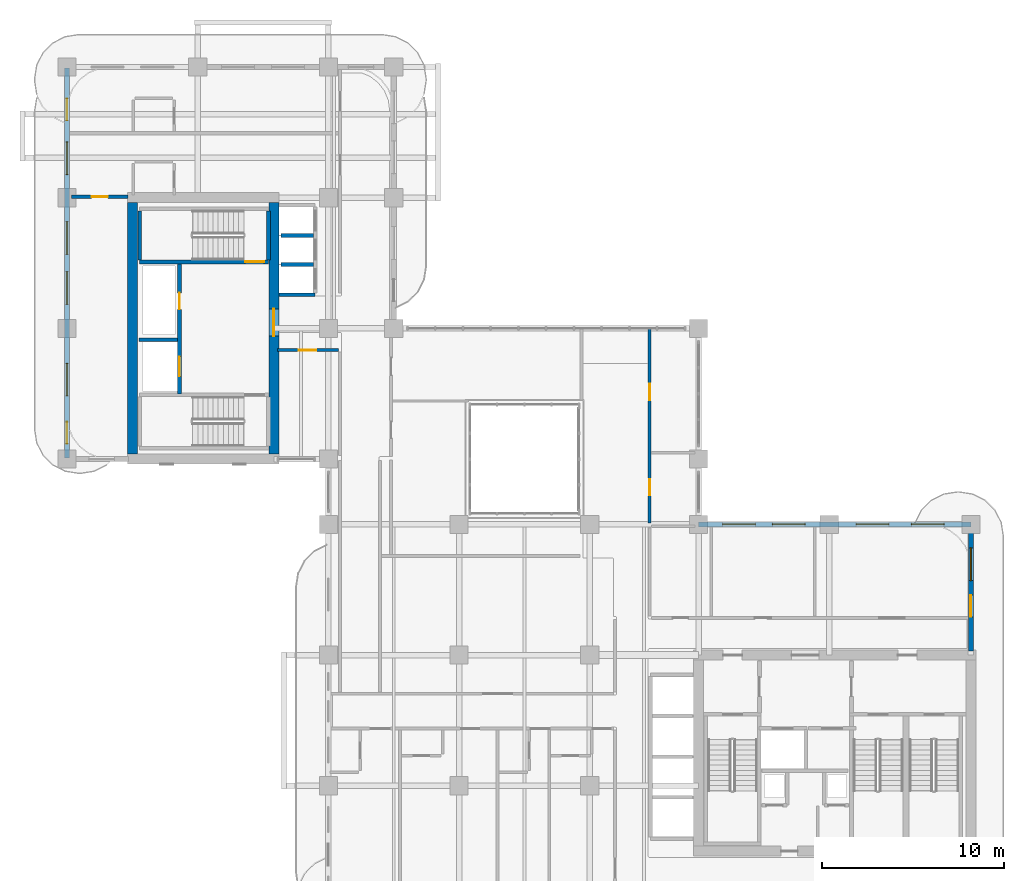
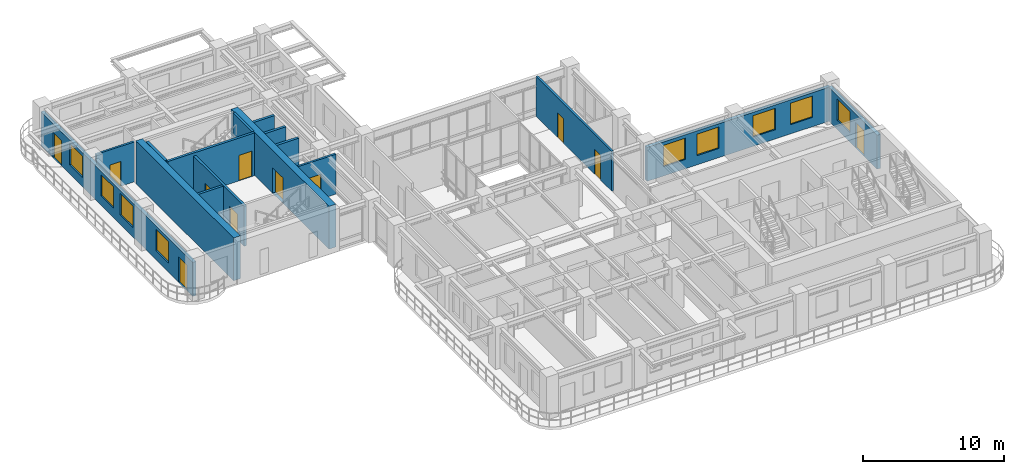
# One storey, part 14 of 20: 16 walls, 11 doors, 9 windows, 20 openings.
"""IFC4 building model written with IfcOpenShell, lengths in metres."""

from ifc_helpers import new_model, si_unit, derived_unit, direction, frame, frame_2d, origin, place, context, subcontext, project, spatial, rectangle, extrude, source, transform, mapped, material, layer, layer_set, type_object, type_shapes, element, fill, save


model = new_model("IFC4")

# Units and contexts
model_context = context("Model", 3, precision=1e-05, world=origin(), true_north=direction((0.0, 1.0)))
body_context = subcontext(model_context, "Body", "Model", "MODEL_VIEW")
ifc_project = project(units=[si_unit("LENGTHUNIT", "METRE"), si_unit("AREAUNIT", "SQUARE_METRE"), si_unit("VOLUMEUNIT", "CUBIC_METRE"), si_unit("PLANEANGLEUNIT", "RADIAN"), si_unit("MASSUNIT", "GRAM", prefix="KILO"), si_unit("THERMODYNAMICTEMPERATUREUNIT", "KELVIN"), si_unit("POWERUNIT", "WATT"), derived_unit("THERMALTRANSMITTANCEUNIT", [(si_unit("POWERUNIT", "WATT"), 1), (si_unit("AREAUNIT", "SQUARE_METRE"), -1), (si_unit("THERMODYNAMICTEMPERATUREUNIT", "KELVIN"), -1)])], contexts=[model_context])

# Site, building, storey
site_placement = place(None, origin())
site = spatial("IfcSite", under=ifc_project, at=site_placement, CompositionType="ELEMENT")
building_placement = place(site_placement, origin())
building = spatial("IfcBuilding", under=site, at=building_placement, Name="Zahravan Archway Hotel and Residences", CompositionType="ELEMENT")
storey_placement = place(building_placement, frame((0.0, 0.0, 119.199951171875)))
storey = spatial("IfcBuildingStorey", under=building, at=storey_placement, Name="L29", CompositionType="ELEMENT", Elevation=119.199951171875)

# Wall
ifc_material_1 = material(Name="Concrete C70/85", Category="concrete")
ifc_layer_1 = layer(ifc_material_1, 0.550048828125, Name="Concrete C70/85", Category="concrete")
ifc_layer_set_1 = layer_set([ifc_layer_1], Name="Concrete C70/85")
wall_type_1 = type_object("IfcWallType", Name="CW-CORE-550", PredefinedType="SHEAR", material=ifc_layer_set_1)
wall_1_placement = place(storey_placement, frame((3.60009765625, 25.47509765625, 0.0), z_axis=(0.0, 0.0, 1.0), x_axis=(0.0, 1.0, 0.0)))
element("IfcWall", 1, at=wall_1_placement, inside=storey, type_object=wall_type_1, Name="L29 Core B Shear W Wall 550 mm", PredefinedType="SHEAR", context=body_context, shape_type="SweptSolid", body=[
    extrude(rectangle(XDim=13.849853515625, YDim=0.550048828125, at=frame_2d((6.9248046875, 0.0))), origin(), (0.0, 0.0, 1.0), 3.699951171875),
])

# Wall, opening, door
wall_2_placement = place(storey_placement, frame((11.39990234375, 25.47509765625, 0.0), z_axis=(0.0, 0.0, 1.0), x_axis=(0.0, 1.0, 0.0)))
wall_2 = element("IfcWall", 2, at=wall_2_placement, inside=storey, type_object=wall_type_1, Name="L29 Core B Shear E Wall 550 mm", PredefinedType="SHEAR", context=body_context, shape_type="SweptSolid", body=[
    extrude(rectangle(XDim=13.849853515625, YDim=0.550048828125, at=frame_2d((6.9248046875, 0.0))), origin(), (0.0, 0.0, 1.0), 3.699951171875),
])
opening_1_placement = place(wall_2_placement, frame((6.4951171875, 0.0, 0.0)))
opening_1 = element("IfcOpeningElement", 3, at=opening_1_placement, cuts=wall_2, Name="Opening FD-L1", PredefinedType="OPENING", context=body_context, shape_type="SweptSolid", body=[
    extrude(rectangle(XDim=1.5, YDim=2.199951171875, at=frame_2d((0.75, 1.10009765625))), frame((0.0, 0.28515625, 0.0), z_axis=(0.0, -1.0, 0.0), x_axis=(1.0, 0.0, 0.0)), (0.0, 0.0, 1.0), 0.570068359375),
])
ifc_material_2 = material(Name="Fire-Rated Painted Steel", Category="steel")
door_type_1 = type_object("IfcDoorType", Name="FD-LOBBY-1500", OperationType="DOUBLE_DOOR_SINGLE_SWING", PredefinedType="DOOR", material=ifc_material_2)
shared_shape_1 = source(origin(), body_context, "Body", "SweptSolid", [
    extrude(rectangle(XDim=1.5, YDim=2.199951171875, at=frame_2d((0.75, 1.10009765625))), frame((0.0, 0.02490234375, 0.0), z_axis=(0.0, -1.0, 0.0), x_axis=(1.0, 0.0, 0.0)), (0.0, 0.0, 1.0), 0.050048828125),
])
type_shapes(door_type_1, [shared_shape_1])
door_1_placement = place(opening_1_placement, origin())
door_1 = element("IfcDoor", 4, at=door_1_placement, inside=storey, type_object=door_type_1, Name="L29 Core B FSAE Lobby Door", OperationType="DOUBLE_DOOR_SINGLE_SWING", OverallHeight=2.199951171875, OverallWidth=1.5, PredefinedType="DOOR", context=body_context, shape_type="MappedRepresentation", body=[
    mapped(shared_shape_1, transform((0.0, 0.0, 0.0), scale=1.0)),
])
fill(opening_1, door_1)

# Wall, openings, door, window
ifc_material_3 = material(Name="Honed Red-Ochre Sandstone & Insulated Block", Category="masonry")
ifc_layer_2 = layer(ifc_material_3, 0.280029296875, Name="Honed Red-Ochre Sandstone & Insulated Block", Category="masonry")
ifc_layer_set_2 = layer_set([ifc_layer_2], Name="Honed Red-Ochre Sandstone & Insulated Block")
wall_type_2 = type_object("IfcWallType", Name="EW-LOG-280", PredefinedType="SOLIDWALL", material=ifc_layer_set_2)
wall_3_placement = place(storey_placement, frame((49.800048828125, 14.6201171875, 0.0), z_axis=(0.0, 0.0, 1.0), x_axis=(0.0, 1.0, 0.0)))
wall_3 = element("IfcWall", 5, at=wall_3_placement, inside=storey, type_object=wall_type_2, Name="L29 Exterior Sandstone Wall WA-EN", PredefinedType="SOLIDWALL", context=body_context, shape_type="SweptSolid", body=[
    extrude(rectangle(XDim=6.929931640625, YDim=0.280029296875, at=frame_2d((3.46484375, 0.0))), origin(), (0.0, 0.0, 1.0), 2.93505859375),
])
opening_2_placement = place(wall_3_placement, frame((1.888916015625, 0.0, 0.0)))
opening_2 = element("IfcOpeningElement", 6, at=opening_2_placement, cuts=wall_3, Name="Opening ED-BL1", PredefinedType="OPENING", context=body_context, shape_type="SweptSolid", body=[
    extrude(rectangle(XDim=1.199951171875, YDim=2.199951171875, at=frame_2d((0.60009765625, 1.10009765625))), frame((0.0, 0.14990234375, 0.0), z_axis=(0.0, -1.0, 0.0), x_axis=(1.0, 0.0, 0.0)), (0.0, 0.0, 1.0), 0.300048828125),
])
opening_3_placement = place(wall_3_placement, frame((3.884033203125, 0.0, 0.800048828125)))
opening_3 = element("IfcOpeningElement", 7, at=opening_3_placement, cuts=wall_3, Name="Opening W-02", PredefinedType="OPENING", context=body_context, shape_type="SweptSolid", body=[
    extrude(rectangle(XDim=1.800048828125, YDim=1.85009765625, at=frame_2d((0.89990234375, 0.925048828125))), frame((0.0, 0.14990234375, 0.0), z_axis=(0.0, -1.0, 0.0), x_axis=(1.0, 0.0, 0.0)), (0.0, 0.0, 1.0), 0.300048828125),
])
ifc_material_4 = material(Name="Bronze-Anodized Glazed Aluminium", Category="aluminium")
door_type_2 = type_object("IfcDoorType", Name="ED-BALC-1200", OperationType="SLIDING_TO_LEFT", PredefinedType="DOOR", material=ifc_material_4)
shared_shape_2 = source(origin(), body_context, "Body", "SweptSolid", [
    extrude(rectangle(XDim=1.199951171875, YDim=2.199951171875, at=frame_2d((0.60009765625, 1.10009765625))), frame((0.0, 0.02490234375, 0.0), z_axis=(0.0, -1.0, 0.0), x_axis=(1.0, 0.0, 0.0)), (0.0, 0.0, 1.0), 0.050048828125),
])
type_shapes(door_type_2, [shared_shape_2])
door_2_placement = place(opening_2_placement, origin())
door_2 = element("IfcDoor", 8, at=door_2_placement, inside=storey, type_object=door_type_2, Name="L29 Outdoor Access Sliding Door (SLB-BAL-L29-EA)", OperationType="SLIDING_TO_LEFT", OverallHeight=2.199951171875, OverallWidth=1.199951171875, PredefinedType="DOOR", context=body_context, shape_type="MappedRepresentation", body=[
    mapped(shared_shape_2, transform((0.0, 0.0, 0.0), scale=1.0)),
])
fill(opening_2, door_2)
ifc_material_5 = material(Name="Bronze-Anodized Thermal-Break Aluminium & Low-E Glass", Category="aluminium")
window_type = type_object("IfcWindowType", Name="WIN-TWR-1800", PartitioningType="DOUBLE_PANEL_VERTICAL", PredefinedType="WINDOW", material=ifc_material_5)
shared_shape_3 = source(origin(), body_context, "Body", "SweptSolid", [
    extrude(rectangle(XDim=1.800048828125, YDim=1.85009765625, at=frame_2d((0.89990234375, 0.925048828125))), frame((0.0, 0.030029296875, 0.0), z_axis=(0.0, -1.0, 0.0), x_axis=(1.0, 0.0, 0.0)), (0.0, 0.0, 1.0), 0.06005859375),
])
type_shapes(window_type, [shared_shape_3])
window_1_placement = place(opening_3_placement, origin())
window_1 = element("IfcWindow", 9, at=window_1_placement, inside=storey, type_object=window_type, Name="L29 Loggia Window 11", OverallHeight=1.85009765625, OverallWidth=1.800048828125, PartitioningType="DOUBLE_PANEL_VERTICAL", PredefinedType="WINDOW", context=body_context, shape_type="MappedRepresentation", body=[
    mapped(shared_shape_3, transform((0.0, 0.0, 0.0), scale=1.0)),
])
fill(opening_3, window_1)

# Wall, openings, windows
wall_4_placement = place(storey_placement, frame((34.800048828125, 21.60009765625, 0.0), z_axis=(0.0, 0.0, 1.0), x_axis=(1.0, 0.0, 0.0)))
wall_4 = element("IfcWall", 10, at=wall_4_placement, inside=storey, type_object=wall_type_2, Name="L29 Exterior Sandstone Wall WA-NE", PredefinedType="SOLIDWALL", context=body_context, shape_type="SweptSolid", body=[
    extrude(rectangle(XDim=15.0, YDim=0.280029296875, at=frame_2d((7.5, 0.0))), origin(), (0.0, 0.0, 1.0), 2.93505859375),
])
opening_4_placement = place(wall_4_placement, frame((1.322998046875, 0.0, 0.800048828125)))
opening_4 = element("IfcOpeningElement", 11, at=opening_4_placement, cuts=wall_4, Name="Opening W-02", PredefinedType="OPENING", context=body_context, shape_type="SweptSolid", body=[
    extrude(rectangle(XDim=1.800048828125, YDim=1.85009765625, at=frame_2d((0.89990234375, 0.925048828125))), frame((0.0, 0.14990234375, 0.0), z_axis=(0.0, -1.0, 0.0), x_axis=(1.0, 0.0, 0.0)), (0.0, 0.0, 1.0), 0.300048828125),
])
opening_5_placement = place(wall_4_placement, frame((4.069091796875, 0.0, 0.800048828125)))
opening_5 = element("IfcOpeningElement", 12, at=opening_5_placement, cuts=wall_4, Name="Opening W-02", PredefinedType="OPENING", context=body_context, shape_type="SweptSolid", body=[
    extrude(rectangle(XDim=1.800048828125, YDim=1.85009765625, at=frame_2d((0.89990234375, 0.925048828125))), frame((0.0, 0.14990234375, 0.0), z_axis=(0.0, -1.0, 0.0), x_axis=(1.0, 0.0, 0.0)), (0.0, 0.0, 1.0), 0.300048828125),
])
opening_6_placement = place(wall_4_placement, frame((8.675048828125, 0.0, 0.800048828125)))
opening_6 = element("IfcOpeningElement", 13, at=opening_6_placement, cuts=wall_4, Name="Opening W-02", PredefinedType="OPENING", context=body_context, shape_type="SweptSolid", body=[
    extrude(rectangle(XDim=1.800048828125, YDim=1.85009765625, at=frame_2d((0.89990234375, 0.925048828125))), frame((0.0, 0.14990234375, 0.0), z_axis=(0.0, -1.0, 0.0), x_axis=(1.0, 0.0, 0.0)), (0.0, 0.0, 1.0), 0.300048828125),
])
opening_7_placement = place(wall_4_placement, frame((11.72509765625, 0.0, 0.800048828125)))
opening_7 = element("IfcOpeningElement", 14, at=opening_7_placement, cuts=wall_4, Name="Opening W-02", PredefinedType="OPENING", context=body_context, shape_type="SweptSolid", body=[
    extrude(rectangle(XDim=1.800048828125, YDim=1.85009765625, at=frame_2d((0.89990234375, 0.925048828125))), frame((0.0, 0.14990234375, 0.0), z_axis=(0.0, -1.0, 0.0), x_axis=(1.0, 0.0, 0.0)), (0.0, 0.0, 1.0), 0.300048828125),
])
window_2_placement = place(opening_4_placement, origin())
window_2 = element("IfcWindow", 15, at=window_2_placement, inside=storey, type_object=window_type, Name="L29 Loggia Window 12", OverallHeight=1.85009765625, OverallWidth=1.800048828125, PartitioningType="DOUBLE_PANEL_VERTICAL", PredefinedType="WINDOW", context=body_context, shape_type="MappedRepresentation", body=[
    mapped(shared_shape_3, transform((0.0, 0.0, 0.0), scale=1.0)),
])
fill(opening_4, window_2)
window_3_placement = place(opening_5_placement, origin())
window_3 = element("IfcWindow", 16, at=window_3_placement, inside=storey, type_object=window_type, Name="L29 Loggia Window 13", OverallHeight=1.85009765625, OverallWidth=1.800048828125, PartitioningType="DOUBLE_PANEL_VERTICAL", PredefinedType="WINDOW", context=body_context, shape_type="MappedRepresentation", body=[
    mapped(shared_shape_3, transform((0.0, 0.0, 0.0), scale=1.0)),
])
fill(opening_5, window_3)
window_4_placement = place(opening_6_placement, origin())
window_4 = element("IfcWindow", 17, at=window_4_placement, inside=storey, type_object=window_type, Name="L29 Loggia Window 14", OverallHeight=1.85009765625, OverallWidth=1.800048828125, PartitioningType="DOUBLE_PANEL_VERTICAL", PredefinedType="WINDOW", context=body_context, shape_type="MappedRepresentation", body=[
    mapped(shared_shape_3, transform((0.0, 0.0, 0.0), scale=1.0)),
])
fill(opening_6, window_4)
window_5_placement = place(opening_7_placement, origin())
window_5 = element("IfcWindow", 18, at=window_5_placement, inside=storey, type_object=window_type, Name="L29 Loggia Window 15", OverallHeight=1.85009765625, OverallWidth=1.800048828125, PartitioningType="DOUBLE_PANEL_VERTICAL", PredefinedType="WINDOW", context=body_context, shape_type="MappedRepresentation", body=[
    mapped(shared_shape_3, transform((0.0, 0.0, 0.0), scale=1.0)),
])
fill(opening_7, window_5)

# Wall, openings, doors, windows
wall_5_placement = place(storey_placement, frame((0.0, 25.25, 0.0), z_axis=(0.0, 0.0, 1.0), x_axis=(0.0, 1.0, 0.0)))
wall_5 = element("IfcWall", 19, at=wall_5_placement, inside=storey, type_object=wall_type_2, Name="L29 Exterior Sandstone Wall WB-W", PredefinedType="SOLIDWALL", context=body_context, shape_type="SweptSolid", body=[
    extrude(rectangle(XDim=21.5, YDim=0.280029296875, at=frame_2d((10.75, 0.0))), origin(), (0.0, 0.0, 1.0), 2.93505859375),
])
opening_8_placement = place(wall_5_placement, frame((18.60693359375, 0.0, 0.0)))
opening_8 = element("IfcOpeningElement", 20, at=opening_8_placement, cuts=wall_5, Name="Opening ED-BL1", PredefinedType="OPENING", context=body_context, shape_type="SweptSolid", body=[
    extrude(rectangle(XDim=1.199951171875, YDim=2.199951171875, at=frame_2d((0.60009765625, 1.10009765625))), frame((0.0, 0.14990234375, 0.0), z_axis=(0.0, -1.0, 0.0), x_axis=(1.0, 0.0, 0.0)), (0.0, 0.0, 1.0), 0.300048828125),
])
opening_9_placement = place(wall_5_placement, frame((0.800048828125, 0.0, 0.0)))
opening_9 = element("IfcOpeningElement", 21, at=opening_9_placement, cuts=wall_5, Name="Opening ED-BL1", PredefinedType="OPENING", context=body_context, shape_type="SweptSolid", body=[
    extrude(rectangle(XDim=1.199951171875, YDim=2.199951171875, at=frame_2d((0.60009765625, 1.10009765625))), frame((0.0, 0.14990234375, 0.0), z_axis=(0.0, -1.0, 0.0), x_axis=(1.0, 0.0, 0.0)), (0.0, 0.0, 1.0), 0.300048828125),
])
opening_10_placement = place(wall_5_placement, frame((3.425048828125, 0.0, 0.800048828125)))
opening_10 = element("IfcOpeningElement", 22, at=opening_10_placement, cuts=wall_5, Name="Opening W-02", PredefinedType="OPENING", context=body_context, shape_type="SweptSolid", body=[
    extrude(rectangle(XDim=1.800048828125, YDim=1.85009765625, at=frame_2d((0.89990234375, 0.925048828125))), frame((0.0, 0.14990234375, 0.0), z_axis=(0.0, -1.0, 0.0), x_axis=(1.0, 0.0, 0.0)), (0.0, 0.0, 1.0), 0.300048828125),
])
opening_11_placement = place(wall_5_placement, frame((8.47509765625, 0.0, 0.800048828125)))
opening_11 = element("IfcOpeningElement", 23, at=opening_11_placement, cuts=wall_5, Name="Opening W-02", PredefinedType="OPENING", context=body_context, shape_type="SweptSolid", body=[
    extrude(rectangle(XDim=1.800048828125, YDim=1.85009765625, at=frame_2d((0.89990234375, 0.925048828125))), frame((0.0, 0.14990234375, 0.0), z_axis=(0.0, -1.0, 0.0), x_axis=(1.0, 0.0, 0.0)), (0.0, 0.0, 1.0), 0.300048828125),
])
opening_12_placement = place(wall_5_placement, frame((11.22509765625, 0.0, 0.800048828125)))
opening_12 = element("IfcOpeningElement", 24, at=opening_12_placement, cuts=wall_5, Name="Opening W-02", PredefinedType="OPENING", context=body_context, shape_type="SweptSolid", body=[
    extrude(rectangle(XDim=1.800048828125, YDim=1.85009765625, at=frame_2d((0.89990234375, 0.925048828125))), frame((0.0, 0.14990234375, 0.0), z_axis=(0.0, -1.0, 0.0), x_axis=(1.0, 0.0, 0.0)), (0.0, 0.0, 1.0), 0.300048828125),
])
opening_13_placement = place(wall_5_placement, frame((15.62109375, 0.0, 0.800048828125)))
opening_13 = element("IfcOpeningElement", 25, at=opening_13_placement, cuts=wall_5, Name="Opening W-02", PredefinedType="OPENING", context=body_context, shape_type="SweptSolid", body=[
    extrude(rectangle(XDim=1.800048828125, YDim=1.85009765625, at=frame_2d((0.89990234375, 0.925048828125))), frame((0.0, 0.14990234375, 0.0), z_axis=(0.0, -1.0, 0.0), x_axis=(1.0, 0.0, 0.0)), (0.0, 0.0, 1.0), 0.300048828125),
])
door_3_placement = place(opening_8_placement, origin())
door_3 = element("IfcDoor", 26, at=door_3_placement, inside=storey, type_object=door_type_2, Name="L29 Outdoor Access Sliding Door (SLB-BAL-L29-NB)", OperationType="SLIDING_TO_LEFT", OverallHeight=2.199951171875, OverallWidth=1.199951171875, PredefinedType="DOOR", context=body_context, shape_type="MappedRepresentation", body=[
    mapped(shared_shape_2, transform((0.0, 0.0, 0.0), scale=1.0)),
])
fill(opening_8, door_3)
door_4_placement = place(opening_9_placement, origin())
door_4 = element("IfcDoor", 27, at=door_4_placement, inside=storey, type_object=door_type_2, Name="L29 Outdoor Access Sliding Door (SLB-BAL-L29-WB)", OperationType="SLIDING_TO_LEFT", OverallHeight=2.199951171875, OverallWidth=1.199951171875, PredefinedType="DOOR", context=body_context, shape_type="MappedRepresentation", body=[
    mapped(shared_shape_2, transform((0.0, 0.0, 0.0), scale=1.0)),
])
fill(opening_9, door_4)
window_6_placement = place(opening_10_placement, origin())
window_6 = element("IfcWindow", 28, at=window_6_placement, inside=storey, type_object=window_type, Name="L29 Loggia Window 23", OverallHeight=1.85009765625, OverallWidth=1.800048828125, PartitioningType="DOUBLE_PANEL_VERTICAL", PredefinedType="WINDOW", context=body_context, shape_type="MappedRepresentation", body=[
    mapped(shared_shape_3, transform((0.0, 0.0, 0.0), scale=1.0)),
])
fill(opening_10, window_6)
window_7_placement = place(opening_11_placement, origin())
window_7 = element("IfcWindow", 29, at=window_7_placement, inside=storey, type_object=window_type, Name="L29 Loggia Window 24", OverallHeight=1.85009765625, OverallWidth=1.800048828125, PartitioningType="DOUBLE_PANEL_VERTICAL", PredefinedType="WINDOW", context=body_context, shape_type="MappedRepresentation", body=[
    mapped(shared_shape_3, transform((0.0, 0.0, 0.0), scale=1.0)),
])
fill(opening_11, window_7)
window_8_placement = place(opening_12_placement, origin())
window_8 = element("IfcWindow", 30, at=window_8_placement, inside=storey, type_object=window_type, Name="L29 Loggia Window 25", OverallHeight=1.85009765625, OverallWidth=1.800048828125, PartitioningType="DOUBLE_PANEL_VERTICAL", PredefinedType="WINDOW", context=body_context, shape_type="MappedRepresentation", body=[
    mapped(shared_shape_3, transform((0.0, 0.0, 0.0), scale=1.0)),
])
fill(opening_12, window_8)
window_9_placement = place(opening_13_placement, origin())
window_9 = element("IfcWindow", 31, at=window_9_placement, inside=storey, type_object=window_type, Name="L29 Loggia Window 26", OverallHeight=1.85009765625, OverallWidth=1.800048828125, PartitioningType="DOUBLE_PANEL_VERTICAL", PredefinedType="WINDOW", context=body_context, shape_type="MappedRepresentation", body=[
    mapped(shared_shape_3, transform((0.0, 0.0, 0.0), scale=1.0)),
])
fill(opening_13, window_9)

# Wall, openings, doors
ifc_material_6 = material(Name="Fire-Rated Gypsum & Concrete Block", Category="concrete")
ifc_layer_3 = layer(ifc_material_6, 0.199951171875, Name="Fire-Rated Gypsum & Concrete Block", Category="concrete")
ifc_layer_set_3 = layer_set([ifc_layer_3], Name="Fire-Rated Gypsum & Concrete Block")
wall_type_3 = type_object("IfcWallType", Name="PW-SHAFT-200", PredefinedType="PARTITIONING", material=ifc_layer_set_3)
wall_6_placement = place(storey_placement, frame((6.199951171875, 28.7900390625, 0.0), z_axis=(0.0, 0.0, 1.0), x_axis=(0.0, 1.0, 0.0)))
wall_6 = element("IfcWall", 32, at=wall_6_placement, inside=storey, type_object=wall_type_3, Name="L29 Partition CB-FL3E", PredefinedType="PARTITIONING", context=body_context, shape_type="SweptSolid", body=[
    extrude(rectangle(XDim=7.219970703125, YDim=0.199951171875, at=frame_2d((3.60986328125, 0.0))), origin(), (0.0, 0.0, 1.0), 3.449951171875),
])
opening_14_placement = place(wall_6_placement, frame((4.659912109375, 0.0, 0.0)))
opening_14 = element("IfcOpeningElement", 33, at=opening_14_placement, cuts=wall_6, Name="Opening FD-R1", PredefinedType="OPENING", context=body_context, shape_type="SweptSolid", body=[
    extrude(rectangle(XDim=0.89990234375, YDim=2.10009765625, at=frame_2d((0.449951171875, 1.050048828125))), frame((0.0, 0.10986328125, 0.0), z_axis=(0.0, -1.0, 0.0), x_axis=(1.0, 0.0, 0.0)), (0.0, 0.0, 1.0), 0.219970703125),
])
opening_15_placement = place(wall_6_placement, frame((0.9599609375, 0.0, 0.0)))
opening_15 = element("IfcOpeningElement", 34, at=opening_15_placement, cuts=wall_6, Name="Opening LD", PredefinedType="OPENING", context=body_context, shape_type="SweptSolid", body=[
    extrude(rectangle(XDim=1.10009765625, YDim=2.199951171875, at=frame_2d((0.550048828125, 1.10009765625))), frame((0.0, 0.10986328125, 0.0), z_axis=(0.0, -1.0, 0.0), x_axis=(1.0, 0.0, 0.0)), (0.0, 0.0, 1.0), 0.219970703125),
])
door_type_3 = type_object("IfcDoorType", Name="FD-RISER-900", OperationType="NOTDEFINED", PredefinedType="DOOR", material=ifc_material_2)
shared_shape_4 = source(origin(), body_context, "Body", "SweptSolid", [
    extrude(rectangle(XDim=0.89990234375, YDim=2.10009765625, at=frame_2d((0.449951171875, 1.050048828125))), frame((0.0, 0.02490234375, 0.0), z_axis=(0.0, -1.0, 0.0), x_axis=(1.0, 0.0, 0.0)), (0.0, 0.0, 1.0), 0.050048828125),
])
type_shapes(door_type_3, [shared_shape_4])
door_5_placement = place(opening_14_placement, origin())
door_5 = element("IfcDoor", 35, at=door_5_placement, inside=storey, type_object=door_type_3, Name="L29 Core B Riser Door", OperationType="SINGLE_SWING_RIGHT", OverallHeight=2.10009765625, OverallWidth=0.89990234375, PredefinedType="DOOR", context=body_context, shape_type="MappedRepresentation", body=[
    mapped(shared_shape_4, transform((0.0, 0.0, 0.0), scale=1.0)),
])
fill(opening_14, door_5)
ifc_material_7 = material(Name="Brushed Stainless Steel", Category="steel")
door_type_4 = type_object("IfcDoorType", Name="DR-LIFT-LD", OperationType="SLIDING_TO_LEFT", PredefinedType="DOOR", material=ifc_material_7)
shared_shape_5 = source(origin(), body_context, "Body", "SweptSolid", [
    extrude(rectangle(XDim=1.10009765625, YDim=2.199951171875, at=frame_2d((0.550048828125, 1.10009765625))), frame((0.0, 0.02490234375, 0.0), z_axis=(0.0, -1.0, 0.0), x_axis=(1.0, 0.0, 0.0)), (0.0, 0.0, 1.0), 0.050048828125),
])
type_shapes(door_type_4, [shared_shape_5])
door_6_placement = place(opening_15_placement, origin())
door_6 = element("IfcDoor", 36, at=door_6_placement, inside=storey, type_object=door_type_4, Name="L29 Lift FL-3 Sliding Landing Door", OperationType="SLIDING_TO_LEFT", OverallHeight=2.199951171875, OverallWidth=1.10009765625, PredefinedType="DOOR", context=body_context, shape_type="MappedRepresentation", body=[
    mapped(shared_shape_5, transform((0.0, 0.0, 0.0), scale=1.0)),
])
fill(opening_15, door_6)

# Walls
wall_7_placement = place(storey_placement, frame((3.9599609375, 31.780029296875, 0.0), z_axis=(0.0, 0.0, 1.0), x_axis=(1.0, 0.0, 0.0)))
element("IfcWall", 37, at=wall_7_placement, inside=storey, type_object=wall_type_3, Name="L29 Partition CB-FL3N", PredefinedType="PARTITIONING", context=body_context, shape_type="SweptSolid", body=[
    extrude(rectangle(XDim=2.130126953125, YDim=0.199951171875, at=frame_2d((1.06494140625, 0.0))), origin(), (0.0, 0.0, 1.0), 3.449951171875),
])
wall_8_placement = place(storey_placement, frame((11.68505859375, 34.25, 0.0), z_axis=(0.0, 0.0, 1.0), x_axis=(1.0, 0.0, 0.0)))
element("IfcWall", 38, at=wall_8_placement, inside=storey, type_object=wall_type_3, Name="L29 Partition B2-S", PredefinedType="PARTITIONING", context=body_context, shape_type="SweptSolid", body=[
    extrude(rectangle(XDim=1.98486328125, YDim=0.199951171875, at=frame_2d((0.992431640625, 0.0))), origin(), (0.0, 0.0, 1.0), 3.449951171875),
])
for number, where, z_axis, x_axis, name in (
    (39, (11.784912109375, 35.919921875, 0.0), (0.0, 0.0, 1.0), (1.0, 0.0, 0.0), "L29 Partition B2-D"),
    (40, (11.784912109375, 37.52001953125, 0.0), (0.0, 0.0, 1.0), (1.0, 0.0, 0.0), "L29 Partition B2-D"),
):
    element("IfcWall", number, at=place(storey_placement, frame(where, z_axis=z_axis, x_axis=x_axis)), inside=storey, type_object=wall_type_3, Name=name, PredefinedType="PARTITIONING", context=body_context, shape_type="SweptSolid", body=[
        extrude(rectangle(XDim=1.78515625, YDim=0.199951171875, at=frame_2d((0.892578125, 0.0))), origin(), (0.0, 0.0, 1.0), 3.449951171875),
    ])

# Wall, opening, door
ifc_material_8 = material(Name="Acoustic Stud Partition")
ifc_layer_4 = layer(ifc_material_8, 0.169921875, Name="Acoustic Stud Partition")
ifc_layer_set_4 = layer_set([ifc_layer_4], Name="Acoustic Stud Partition")
wall_type_4 = type_object("IfcWallType", Name="PW-UNIT-170", PredefinedType="PARTITIONING", material=ifc_layer_set_4)
wall_9_placement = place(storey_placement, frame((0.239990234375, 39.64990234375, 0.0), z_axis=(0.0, 0.0, 1.0), x_axis=(1.0, 0.0, 0.0)))
wall_9 = element("IfcWall", 41, at=wall_9_placement, inside=storey, type_object=wall_type_4, Name="L29 Partition WBW-N", PredefinedType="PARTITIONING", context=body_context, shape_type="SweptSolid", body=[
    extrude(rectangle(XDim=3.1201171875, YDim=0.169921875, at=frame_2d((1.56005859375, 0.0))), origin(), (0.0, 0.0, 1.0), 3.449951171875),
])
opening_16_placement = place(wall_9_placement, frame((1.110107421875, 0.0, 0.0)))
opening_16 = element("IfcOpeningElement", 42, at=opening_16_placement, cuts=wall_9, Name="Opening D-I2", PredefinedType="OPENING", context=body_context, shape_type="SweptSolid", body=[
    extrude(rectangle(XDim=0.89990234375, YDim=2.14990234375, at=frame_2d((0.449951171875, 1.074951171875))), frame((0.0, 0.094970703125, 0.0), z_axis=(0.0, -1.0, 0.0), x_axis=(1.0, 0.0, 0.0)), (0.0, 0.0, 1.0), 0.18994140625),
])
ifc_material_9 = material(Name="Hardwood Veneer Timber", Category="wood")
door_type_5 = type_object("IfcDoorType", Name="ID-INT-900", OperationType="NOTDEFINED", PredefinedType="DOOR", material=ifc_material_9)
shared_shape_6 = source(origin(), body_context, "Body", "SweptSolid", [
    extrude(rectangle(XDim=0.89990234375, YDim=2.14990234375, at=frame_2d((0.449951171875, 1.074951171875))), frame((0.0, 0.02490234375, 0.0), z_axis=(0.0, -1.0, 0.0), x_axis=(1.0, 0.0, 0.0)), (0.0, 0.0, 1.0), 0.050048828125),
])
type_shapes(door_type_5, [shared_shape_6])
door_7_placement = place(opening_16_placement, origin())
door_7 = element("IfcDoor", 43, at=door_7_placement, inside=storey, type_object=door_type_5, Name="L29 West Loggia Salon Door", OperationType="SINGLE_SWING_RIGHT", OverallHeight=2.14990234375, OverallWidth=0.89990234375, PredefinedType="DOOR", context=body_context, shape_type="MappedRepresentation", body=[
    mapped(shared_shape_6, transform((0.0, 0.0, 0.0), scale=1.0)),
])
fill(opening_16, door_7)

wall_10_placement = place(storey_placement, frame((11.590087890625, 31.199951171875, 0.0), z_axis=(0.0, 0.0, 1.0), x_axis=(1.0, 0.0, 0.0)))
wall_10 = element("IfcWall", 44, at=wall_10_placement, inside=storey, type_object=wall_type_4, Name="L29 Partition FB1-N", PredefinedType="PARTITIONING", context=body_context, shape_type="SweptSolid", body=[
    extrude(rectangle(XDim=3.369873046875, YDim=0.169921875, at=frame_2d((1.68505859375, 0.0))), origin(), (0.0, 0.0, 1.0), 3.449951171875),
])
opening_17_placement = place(wall_10_placement, frame((1.18505859375, 0.0, 0.0)))
opening_17 = element("IfcOpeningElement", 45, at=opening_17_placement, cuts=wall_10, Name="Opening D-I1", PredefinedType="OPENING", context=body_context, shape_type="SweptSolid", body=[
    extrude(rectangle(XDim=0.949951171875, YDim=2.14990234375, at=frame_2d((0.47509765625, 1.074951171875))), frame((0.0, 0.094970703125, 0.0), z_axis=(0.0, -1.0, 0.0), x_axis=(1.0, 0.0, 0.0)), (0.0, 0.0, 1.0), 0.18994140625),
])
door_type_6 = type_object("IfcDoorType", Name="ID-INT-950", OperationType="NOTDEFINED", PredefinedType="DOOR", material=ifc_material_9)
shared_shape_7 = source(origin(), body_context, "Body", "SweptSolid", [
    extrude(rectangle(XDim=0.949951171875, YDim=2.14990234375, at=frame_2d((0.47509765625, 1.074951171875))), frame((0.0, 0.02490234375, 0.0), z_axis=(0.0, -1.0, 0.0), x_axis=(1.0, 0.0, 0.0)), (0.0, 0.0, 1.0), 0.050048828125),
])
type_shapes(door_type_6, [shared_shape_7])
door_8_placement = place(opening_17_placement, origin())
door_8 = element("IfcDoor", 46, at=door_8_placement, inside=storey, type_object=door_type_6, Name="L29 Freed Bank 1 Reading Salon Door", OperationType="SINGLE_SWING_LEFT", OverallHeight=2.14990234375, OverallWidth=0.949951171875, PredefinedType="DOOR", context=body_context, shape_type="MappedRepresentation", body=[
    mapped(shared_shape_7, transform((0.0, 0.0, 0.0), scale=1.0)),
])
fill(opening_17, door_8)

# Wall, openings, doors
wall_11_placement = place(storey_placement, frame((32.10009765625, 21.669921875, 0.0), z_axis=(0.0, 0.0, 1.0), x_axis=(0.0, 1.0, 0.0)))
wall_11 = element("IfcWall", 47, at=wall_11_placement, inside=storey, type_object=wall_type_4, Name="L29 Partition ATR-E", PredefinedType="PARTITIONING", context=body_context, shape_type="SweptSolid", body=[
    extrude(rectangle(XDim=10.7021484375, YDim=0.169921875, at=frame_2d((5.35107421875, 0.0))), origin(), (0.0, 0.0, 1.0), 3.449951171875),
])
opening_18_placement = place(wall_11_placement, frame((1.530029296875, 0.0, 0.0)))
opening_18 = element("IfcOpeningElement", 48, at=opening_18_placement, cuts=wall_11, Name="Opening D-I2", PredefinedType="OPENING", context=body_context, shape_type="SweptSolid", body=[
    extrude(rectangle(XDim=0.89990234375, YDim=2.14990234375, at=frame_2d((0.449951171875, 1.074951171875))), frame((0.0, 0.094970703125, 0.0), z_axis=(0.0, -1.0, 0.0), x_axis=(1.0, 0.0, 0.0)), (0.0, 0.0, 1.0), 0.18994140625),
])
opening_19_placement = place(wall_11_placement, frame((6.780029296875, 0.0, 0.0)))
opening_19 = element("IfcOpeningElement", 49, at=opening_19_placement, cuts=wall_11, Name="Opening D-I2", PredefinedType="OPENING", context=body_context, shape_type="SweptSolid", body=[
    extrude(rectangle(XDim=0.89990234375, YDim=2.14990234375, at=frame_2d((0.449951171875, 1.074951171875))), frame((0.0, 0.094970703125, 0.0), z_axis=(0.0, -1.0, 0.0), x_axis=(1.0, 0.0, 0.0)), (0.0, 0.0, 1.0), 0.18994140625),
])
door_9_placement = place(opening_18_placement, origin())
door_9 = element("IfcDoor", 50, at=door_9_placement, inside=storey, type_object=door_type_5, Name="L29 Atrium Office Door", OperationType="SINGLE_SWING_LEFT", OverallHeight=2.14990234375, OverallWidth=0.89990234375, PredefinedType="DOOR", context=body_context, shape_type="MappedRepresentation", body=[
    mapped(shared_shape_6, transform((0.0, 0.0, 0.0), scale=1.0)),
])
fill(opening_18, door_9)
door_10_placement = place(opening_19_placement, origin())
door_10 = element("IfcDoor", 51, at=door_10_placement, inside=storey, type_object=door_type_5, Name="L29 Atrium Boardroom Door", OperationType="SINGLE_SWING_RIGHT", OverallHeight=2.14990234375, OverallWidth=0.89990234375, PredefinedType="DOOR", context=body_context, shape_type="MappedRepresentation", body=[
    mapped(shared_shape_6, transform((0.0, 0.0, 0.0), scale=1.0)),
])
fill(opening_19, door_10)

# Walls
ifc_material_10 = material(Name="Concrete C50/60", Category="concrete")
ifc_layer_5 = layer(ifc_material_10, 0.199951171875, Name="Concrete C50/60", Category="concrete")
ifc_layer_set_5 = layer_set([ifc_layer_5], Name="Concrete C50/60")
wall_type_5 = type_object("IfcWallType", Name="SW-STAIR-200", PredefinedType="SHEAR", material=ifc_layer_set_5)
for number, where, z_axis, x_axis, name in (
    (52, (4.0, 36.179931640625, 0.0), (0.0, 0.0, 1.0), (0.0, 1.0, 0.0), "L29 Stairwell RC Wall CB-SB2W"),
    (53, (11.10009765625, 36.179931640625, 0.0), (0.0, 0.0, 1.0), (0.0, 1.0, 0.0), "L29 Stairwell RC Wall CB-SB2E"),
):
    element("IfcWall", number, at=place(storey_placement, frame(where, z_axis=z_axis, x_axis=x_axis)), inside=storey, type_object=wall_type_5, Name=name, PredefinedType="SHEAR", context=body_context, shape_type="SweptSolid", body=[
        extrude(rectangle(XDim=2.699951171875, YDim=0.199951171875, at=frame_2d((1.35009765625, 0.0))), origin(), (0.0, 0.0, 1.0), 3.699951171875),
    ])

# Wall, opening, door
wall_12_placement = place(storey_placement, frame((4.0, 36.06005859375, 0.0), z_axis=(0.0, 0.0, 1.0), x_axis=(1.0, 0.0, 0.0)))
wall_12 = element("IfcWall", 54, at=wall_12_placement, inside=storey, type_object=wall_type_5, Name="L29 Stairwell RC Wall CB-SB2S", PredefinedType="SHEAR", context=body_context, shape_type="SweptSolid", body=[
    extrude(rectangle(XDim=7.10009765625, YDim=0.199951171875, at=frame_2d((3.550048828125, 0.0))), origin(), (0.0, 0.0, 1.0), 3.699951171875),
])
opening_20_placement = place(wall_12_placement, frame((5.81494140625, 0.0, 0.0)))
opening_20 = element("IfcOpeningElement", 55, at=opening_20_placement, cuts=wall_12, Name="Opening FD-S1", PredefinedType="OPENING", context=body_context, shape_type="SweptSolid", body=[
    extrude(rectangle(XDim=1.050048828125, YDim=2.199951171875, at=frame_2d((0.52490234375, 1.10009765625))), frame((0.0, 0.10986328125, 0.0), z_axis=(0.0, -1.0, 0.0), x_axis=(1.0, 0.0, 0.0)), (0.0, 0.0, 1.0), 0.219970703125),
])
door_type_7 = type_object("IfcDoorType", Name="FD-STAIR-1100", OperationType="NOTDEFINED", PredefinedType="DOOR", material=ifc_material_2)
shared_shape_8 = source(origin(), body_context, "Body", "SweptSolid", [
    extrude(rectangle(XDim=1.050048828125, YDim=2.199951171875, at=frame_2d((0.52490234375, 1.10009765625))), frame((0.0, 0.02490234375, 0.0), z_axis=(0.0, -1.0, 0.0), x_axis=(1.0, 0.0, 0.0)), (0.0, 0.0, 1.0), 0.050048828125),
])
type_shapes(door_type_7, [shared_shape_8])
door_11_placement = place(opening_20_placement, origin())
door_11 = element("IfcDoor", 56, at=door_11_placement, inside=storey, type_object=door_type_7, Name="L29 Stair ST-B2 Door", OperationType="SINGLE_SWING_LEFT", OverallHeight=2.199951171875, OverallWidth=1.050048828125, PredefinedType="DOOR", context=body_context, shape_type="MappedRepresentation", body=[
    mapped(shared_shape_8, transform((0.0, 0.0, 0.0), scale=1.0)),
])
fill(opening_20, door_11)

save(model, "model.ifc")
